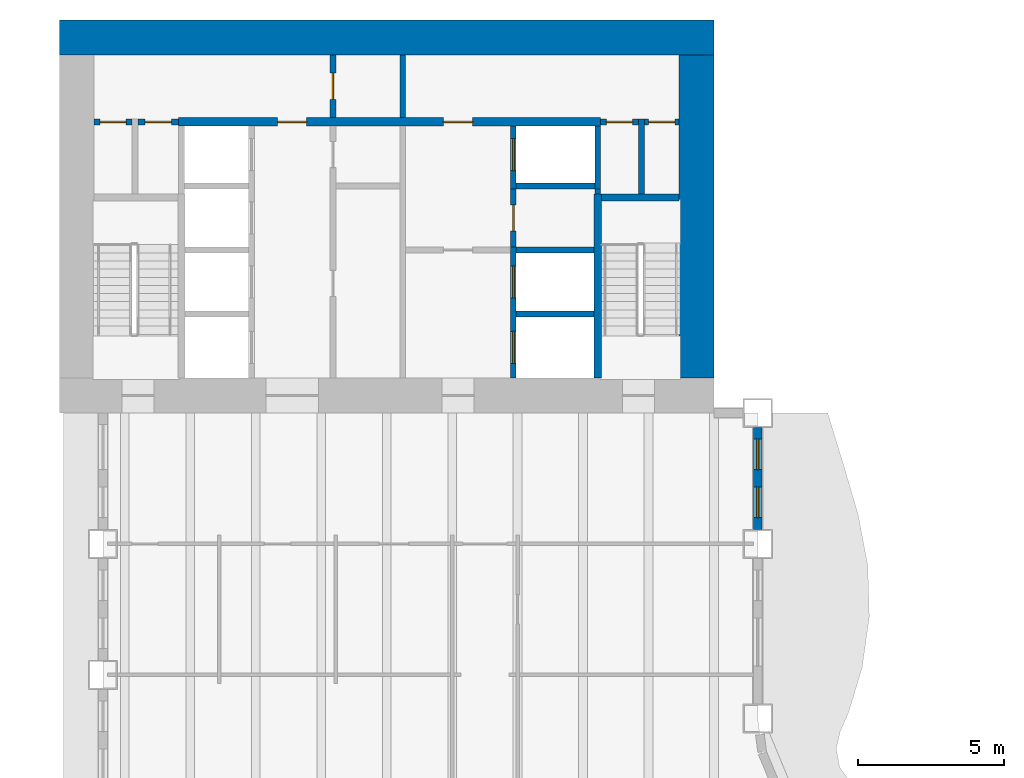
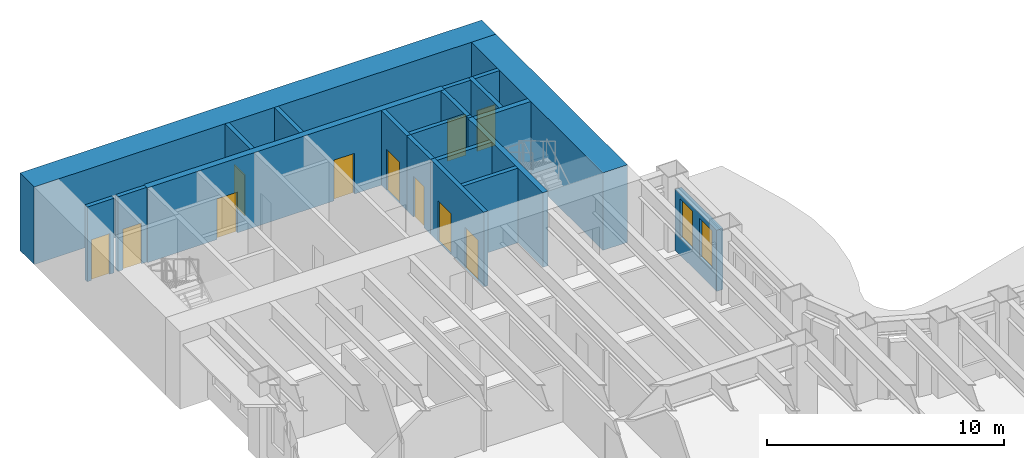
# One storey, part 9 of 16: 21 walls, 11 doors, 2 windows, 13 openings.
"""IFC4 building model written with IfcOpenShell, lengths in metres."""

from ifc_helpers import new_model, si_unit, direction, frame, frame_2d, origin, place, context, subcontext, project, spatial, rectangle, extrude, material, layer, layer_set, type_object, element, fill, save


model = new_model("IFC4")

# Units and contexts
model_context = context("Model", 3, precision=1e-05, world=origin(), true_north=direction((0.0, 1.0)))
body_context = subcontext(model_context, "Body", "Model", "MODEL_VIEW")
ifc_project = project(units=[si_unit("LENGTHUNIT", "METRE"), si_unit("AREAUNIT", "SQUARE_METRE"), si_unit("VOLUMEUNIT", "CUBIC_METRE"), si_unit("PLANEANGLEUNIT", "RADIAN"), si_unit("MASSUNIT", "GRAM", prefix="KILO")], contexts=[model_context])

# Site, building, storey
site_placement = place(None, origin())
site = spatial("IfcSite", under=ifc_project, at=site_placement, CompositionType="ELEMENT")
building_placement = place(site_placement, origin())
building = spatial("IfcBuilding", under=site, at=building_placement, Name="Sennacour Bend Tower", CompositionType="ELEMENT")
storey_placement = place(building_placement, frame((0.0, 0.0, 119.0)))
storey = spatial("IfcBuildingStorey", under=building, at=storey_placement, Name="L27", CompositionType="ELEMENT", Elevation=119.0)

# Walls
ifc_material_1 = material(Name="Concrete C80/95", Category="concrete")
ifc_layer_1 = layer(ifc_material_1, 1.199951171875, Name="Concrete C80/95", Category="concrete")
ifc_layer_set_1 = layer_set([ifc_layer_1], Name="Concrete C80/95")
wall_type_1 = type_object("IfcWallType", Name="Core wall 1200 C80/95", PredefinedType="SHEAR", material=ifc_layer_set_1)
wall_1_placement = place(storey_placement, frame((0.0, 48.89990234375, -0.14990234375), z_axis=(0.0, 0.0, 1.0), x_axis=(1.0, 0.0, 0.0)))
element("IfcWall", 1, at=wall_1_placement, inside=storey, type_object=wall_type_1, Name="Core B wall L27 N", PredefinedType="SHEAR", context=body_context, shape_type="SweptSolid", body=[
    extrude(rectangle(XDim=22.5, YDim=1.199951171875, at=frame_2d((11.25, 0.0))), origin(), (0.0, 0.0, 1.0), 4.0),
])
wall_2_placement = place(storey_placement, frame((21.89990234375, 37.199951171875, -0.14990234375), z_axis=(0.0, 0.0, 1.0), x_axis=(0.0, 1.0, 0.0)))
element("IfcWall", 2, at=wall_2_placement, inside=storey, type_object=wall_type_1, Name="Core B wall L27 E", PredefinedType="SHEAR", context=body_context, shape_type="SweptSolid", body=[
    extrude(rectangle(XDim=11.10009765625, YDim=1.199951171875, at=frame_2d((5.550048828125, 0.0))), origin(), (0.0, 0.0, 1.0), 4.0),
])

# Wall, opening, door
ifc_material_2 = material(Name="Fire-rated plasterboard partition on steel studs", Category="steel")
ifc_layer_2 = layer(ifc_material_2, 0.199951171875, Name="Fire-rated plasterboard partition on steel studs", Category="steel")
ifc_layer_set_2 = layer_set([ifc_layer_2], Name="Fire-rated plasterboard partition on steel studs")
wall_type_2 = type_object("IfcWallType", Name="Rated partition 200", PredefinedType="PARTITIONING", material=ifc_layer_set_2)
wall_3_placement = place(storey_placement, frame((9.39990234375, 46.14990234375, 0.0), z_axis=(0.0, 0.0, 1.0), x_axis=(0.0, 1.0, 0.0)))
wall_3 = element("IfcWall", 3, at=wall_3_placement, inside=storey, type_object=wall_type_2, Name="P-L27-W012b", PredefinedType="PARTITIONING", context=body_context, shape_type="SweptSolid", body=[
    extrude(rectangle(XDim=2.150146484375, YDim=0.199951171875, at=frame_2d((1.0751953125, 0.0))), origin(), (0.0, 0.0, 1.0), 3.85009765625),
])
opening_1_placement = place(wall_3_placement, frame((0.625, 0.0, 0.0)))
opening_1 = element("IfcOpeningElement", 4, at=opening_1_placement, cuts=wall_3, Name="Opening SV", PredefinedType="OPENING", context=body_context, shape_type="SweptSolid", body=[
    extrude(rectangle(XDim=0.89990234375, YDim=2.10009765625, at=frame_2d((0.449951171875, 1.050048828125))), frame((0.0, 0.10986328125, 0.0), z_axis=(0.0, -1.0, 0.0), x_axis=(1.0, 0.0, 0.0)), (0.0, 0.0, 1.0), 0.219970703125),
])
ifc_material_3 = material(Name="Painted steel", Category="steel")
door_type_1 = type_object("IfcDoorType", Name="DR-SERVICE-900", OperationType="NOTDEFINED", PredefinedType="DOOR", material=ifc_material_3)
door_1_placement = place(opening_1_placement, origin())
door_1 = element("IfcDoor", 5, at=door_1_placement, inside=storey, type_object=door_type_1, Name="Door", OperationType="SINGLE_SWING_LEFT", OverallHeight=2.10009765625, OverallWidth=0.89990234375, PredefinedType="DOOR", context=body_context, shape_type="SweptSolid", body=[
    extrude(rectangle(XDim=0.89990234375, YDim=2.10009765625, at=frame_2d((0.449951171875, 1.050048828125))), frame((0.0, 0.02490234375, 0.0), z_axis=(0.0, -1.0, 0.0), x_axis=(1.0, 0.0, 0.0)), (0.0, 0.0, 1.0), 0.050048828125),
])
fill(opening_1, door_1)

# Wall
wall_4_placement = place(storey_placement, frame((11.800048828125, 46.14990234375, 0.0), z_axis=(0.0, 0.0, 1.0), x_axis=(0.0, 1.0, 0.0)))
element("IfcWall", 6, at=wall_4_placement, inside=storey, type_object=wall_type_2, Name="P-L27-W014b", PredefinedType="PARTITIONING", context=body_context, shape_type="SweptSolid", body=[
    extrude(rectangle(XDim=2.150146484375, YDim=0.199951171875, at=frame_2d((1.0751953125, 0.0))), origin(), (0.0, 0.0, 1.0), 3.85009765625),
])

# Wall, opening, door
wall_5_placement = place(storey_placement, frame((15.60009765625, 41.699951171875, 0.0), z_axis=(0.0, 0.0, 1.0), x_axis=(0.0, 1.0, 0.0)))
wall_5 = element("IfcWall", 7, at=wall_5_placement, inside=storey, type_object=wall_type_2, Name="P-L27-W018", PredefinedType="PARTITIONING", context=body_context, shape_type="SweptSolid", body=[
    extrude(rectangle(XDim=2.0, YDim=0.199951171875, at=frame_2d((1.0, 0.0))), origin(), (0.0, 0.0, 1.0), 3.85009765625),
])
opening_2_placement = place(wall_5_placement, frame((0.550048828125, 0.0, 0.0)))
opening_2 = element("IfcOpeningElement", 8, at=opening_2_placement, cuts=wall_5, Name="Opening SV", PredefinedType="OPENING", context=body_context, shape_type="SweptSolid", body=[
    extrude(rectangle(XDim=0.89990234375, YDim=2.10009765625, at=frame_2d((0.449951171875, 1.050048828125))), frame((0.0, 0.10986328125, 0.0), z_axis=(0.0, -1.0, 0.0), x_axis=(1.0, 0.0, 0.0)), (0.0, 0.0, 1.0), 0.219970703125),
])
door_2_placement = place(opening_2_placement, origin())
door_2 = element("IfcDoor", 9, at=door_2_placement, inside=storey, type_object=door_type_1, Name="Door", OperationType="SINGLE_SWING_RIGHT", OverallHeight=2.10009765625, OverallWidth=0.89990234375, PredefinedType="DOOR", context=body_context, shape_type="SweptSolid", body=[
    extrude(rectangle(XDim=0.89990234375, YDim=2.10009765625, at=frame_2d((0.449951171875, 1.050048828125))), frame((0.0, 0.02490234375, 0.0), z_axis=(0.0, -1.0, 0.0), x_axis=(1.0, 0.0, 0.0)), (0.0, 0.0, 1.0), 0.050048828125),
])
fill(opening_2, door_2)

# Walls
wall_6_placement = place(storey_placement, frame((18.5, 43.52490234375, 0.0), z_axis=(0.0, 0.0, 1.0), x_axis=(0.0, 1.0, 0.0)))
element("IfcWall", 10, at=wall_6_placement, inside=storey, type_object=wall_type_2, Name="P-L27-W023", PredefinedType="PARTITIONING", context=body_context, shape_type="SweptSolid", body=[
    extrude(rectangle(XDim=0.175048828125, YDim=0.199951171875, at=frame_2d((0.08740234375, 0.0))), origin(), (0.0, 0.0, 1.0), 3.85009765625),
])
wall_7_placement = place(storey_placement, frame((20.0, 43.52490234375, 0.0), z_axis=(0.0, 0.0, 1.0), x_axis=(0.0, 1.0, 0.0)))
element("IfcWall", 11, at=wall_7_placement, inside=storey, type_object=wall_type_2, Name="P-L27-W025", PredefinedType="PARTITIONING", context=body_context, shape_type="SweptSolid", body=[
    extrude(rectangle(XDim=2.5751953125, YDim=0.199951171875, at=frame_2d((1.28759765625, 0.0))), origin(), (0.0, 0.0, 1.0), 3.85009765625),
])

# Wall, opening, door
wall_8_placement = place(storey_placement, frame((1.199951171875, 46.0, 0.0), z_axis=(0.0, 0.0, 1.0), x_axis=(1.0, 0.0, 0.0)))
wall_8 = element("IfcWall", 12, at=wall_8_placement, inside=storey, type_object=wall_type_2, Name="P-L27-W087a", PredefinedType="PARTITIONING", context=body_context, shape_type="SweptSolid", body=[
    extrude(rectangle(XDim=1.300048828125, YDim=0.199951171875, at=frame_2d((0.64990234375, 0.0))), origin(), (0.0, 0.0, 1.0), 3.85009765625),
])
opening_3_placement = place(wall_8_placement, frame((0.199951171875, 0.0, 0.0)))
opening_3 = element("IfcOpeningElement", 13, at=opening_3_placement, cuts=wall_8, Name="Opening SV", PredefinedType="OPENING", context=body_context, shape_type="SweptSolid", body=[
    extrude(rectangle(XDim=0.89990234375, YDim=2.10009765625, at=frame_2d((0.449951171875, 1.050048828125))), frame((0.0, 0.10986328125, 0.0), z_axis=(0.0, -1.0, 0.0), x_axis=(1.0, 0.0, 0.0)), (0.0, 0.0, 1.0), 0.219970703125),
])
door_3_placement = place(opening_3_placement, origin())
door_3 = element("IfcDoor", 14, at=door_3_placement, inside=storey, type_object=door_type_1, Name="Door", OperationType="SINGLE_SWING_LEFT", OverallHeight=2.10009765625, OverallWidth=0.89990234375, PredefinedType="DOOR", context=body_context, shape_type="SweptSolid", body=[
    extrude(rectangle(XDim=0.89990234375, YDim=2.10009765625, at=frame_2d((0.449951171875, 1.050048828125))), frame((0.0, 0.02490234375, 0.0), z_axis=(0.0, -1.0, 0.0), x_axis=(1.0, 0.0, 0.0)), (0.0, 0.0, 1.0), 0.050048828125),
])
fill(opening_3, door_3)

wall_9_placement = place(storey_placement, frame((2.699951171875, 46.0, 0.0), z_axis=(0.0, 0.0, 1.0), x_axis=(1.0, 0.0, 0.0)))
wall_9 = element("IfcWall", 15, at=wall_9_placement, inside=storey, type_object=wall_type_2, Name="P-L27-W087b", PredefinedType="PARTITIONING", context=body_context, shape_type="SweptSolid", body=[
    extrude(rectangle(XDim=1.400146484375, YDim=0.199951171875, at=frame_2d((0.7001953125, 0.0))), origin(), (0.0, 0.0, 1.0), 3.85009765625),
])
opening_4_placement = place(wall_9_placement, frame((0.25, 0.0, 0.0)))
opening_4 = element("IfcOpeningElement", 16, at=opening_4_placement, cuts=wall_9, Name="Opening WD", PredefinedType="OPENING", context=body_context, shape_type="SweptSolid", body=[
    extrude(rectangle(XDim=0.89990234375, YDim=2.10009765625, at=frame_2d((0.449951171875, 1.050048828125))), frame((0.0, 0.10986328125, 0.0), z_axis=(0.0, -1.0, 0.0), x_axis=(1.0, 0.0, 0.0)), (0.0, 0.0, 1.0), 0.219970703125),
])
ifc_material_4 = material(Name="Timber", Category="wood")
door_type_2 = type_object("IfcDoorType", Name="DR-WC-900", OperationType="NOTDEFINED", PredefinedType="DOOR", material=ifc_material_4)
door_4_placement = place(opening_4_placement, origin())
door_4 = element("IfcDoor", 17, at=door_4_placement, inside=storey, type_object=door_type_2, Name="Door", OperationType="SINGLE_SWING_LEFT", OverallHeight=2.10009765625, OverallWidth=0.89990234375, PredefinedType="DOOR", context=body_context, shape_type="SweptSolid", body=[
    extrude(rectangle(XDim=0.89990234375, YDim=2.10009765625, at=frame_2d((0.449951171875, 1.050048828125))), frame((0.0, 0.02490234375, 0.0), z_axis=(0.0, -1.0, 0.0), x_axis=(1.0, 0.0, 0.0)), (0.0, 0.0, 1.0), 0.050048828125),
])
fill(opening_4, door_4)

wall_10_placement = place(storey_placement, frame((18.60009765625, 46.0, 0.0), z_axis=(0.0, 0.0, 1.0), x_axis=(1.0, 0.0, 0.0)))
wall_10 = element("IfcWall", 18, at=wall_10_placement, inside=storey, type_object=wall_type_2, Name="P-L27-W089a", PredefinedType="PARTITIONING", context=body_context, shape_type="SweptSolid", body=[
    extrude(rectangle(XDim=1.2998046875, YDim=0.199951171875, at=frame_2d((0.64990234375, 0.0))), origin(), (0.0, 0.0, 1.0), 3.85009765625),
])
opening_5_placement = place(wall_10_placement, frame((0.199951171875, 0.0, 0.0)))
opening_5 = element("IfcOpeningElement", 19, at=opening_5_placement, cuts=wall_10, Name="Opening SV", PredefinedType="OPENING", context=body_context, shape_type="SweptSolid", body=[
    extrude(rectangle(XDim=0.89990234375, YDim=2.10009765625, at=frame_2d((0.449951171875, 1.050048828125))), frame((0.0, 0.10986328125, 0.0), z_axis=(0.0, -1.0, 0.0), x_axis=(1.0, 0.0, 0.0)), (0.0, 0.0, 1.0), 0.219970703125),
])
door_5_placement = place(opening_5_placement, origin())
door_5 = element("IfcDoor", 20, at=door_5_placement, inside=storey, type_object=door_type_1, Name="Door", OperationType="SINGLE_SWING_LEFT", OverallHeight=2.10009765625, OverallWidth=0.89990234375, PredefinedType="DOOR", context=body_context, shape_type="SweptSolid", body=[
    extrude(rectangle(XDim=0.89990234375, YDim=2.10009765625, at=frame_2d((0.449951171875, 1.050048828125))), frame((0.0, 0.02490234375, 0.0), z_axis=(0.0, -1.0, 0.0), x_axis=(1.0, 0.0, 0.0)), (0.0, 0.0, 1.0), 0.050048828125),
])
fill(opening_5, door_5)

wall_11_placement = place(storey_placement, frame((20.10009765625, 46.0, 0.0), z_axis=(0.0, 0.0, 1.0), x_axis=(1.0, 0.0, 0.0)))
wall_11 = element("IfcWall", 21, at=wall_11_placement, inside=storey, type_object=wall_type_2, Name="P-L27-W089b", PredefinedType="PARTITIONING", context=body_context, shape_type="SweptSolid", body=[
    extrude(rectangle(XDim=1.199951171875, YDim=0.199951171875, at=frame_2d((0.60009765625, 0.0))), origin(), (0.0, 0.0, 1.0), 3.85009765625),
])
opening_6_placement = place(wall_11_placement, frame((0.14990234375, 0.0, 0.0)))
opening_6 = element("IfcOpeningElement", 22, at=opening_6_placement, cuts=wall_11, Name="Opening SV", PredefinedType="OPENING", context=body_context, shape_type="SweptSolid", body=[
    extrude(rectangle(XDim=0.89990234375, YDim=2.10009765625, at=frame_2d((0.449951171875, 1.050048828125))), frame((0.0, 0.10986328125, 0.0), z_axis=(0.0, -1.0, 0.0), x_axis=(1.0, 0.0, 0.0)), (0.0, 0.0, 1.0), 0.219970703125),
])
door_6_placement = place(opening_6_placement, origin())
door_6 = element("IfcDoor", 23, at=door_6_placement, inside=storey, type_object=door_type_1, Name="Door", OperationType="SINGLE_SWING_LEFT", OverallHeight=2.10009765625, OverallWidth=0.89990234375, PredefinedType="DOOR", context=body_context, shape_type="SweptSolid", body=[
    extrude(rectangle(XDim=0.89990234375, YDim=2.10009765625, at=frame_2d((0.449951171875, 1.050048828125))), frame((0.0, 0.02490234375, 0.0), z_axis=(0.0, -1.0, 0.0), x_axis=(1.0, 0.0, 0.0)), (0.0, 0.0, 1.0), 0.050048828125),
])
fill(opening_6, door_6)

# Wall, openings, windows
ifc_material_5 = material(Name="Warm limestone cladding", Category="masonry")
ifc_layer_3 = layer(ifc_material_5, 0.050048828125, Name="Warm limestone cladding", Category="masonry")
ifc_material_6 = material(Name="Precast concrete C40/50", Category="concrete")
ifc_layer_4 = layer(ifc_material_6, 0.25, Name="Precast concrete C40/50", Category="concrete")
ifc_layer_set_3 = layer_set([ifc_layer_3, ifc_layer_4], Name="Precast concrete C40/50 with limestone cladding")
wall_type_3 = type_object("IfcWallType", Name="STONE-CLAD PRECAST SPANDREL 300", PredefinedType="STANDARD", material=ifc_layer_set_3)
wall_12_placement = place(storey_placement, frame((24.0, 32.0, 0.0), z_axis=(0.0, 0.0, 1.0), x_axis=(0.0, 1.0, 0.0)))
wall_12 = element("IfcWall", 24, at=wall_12_placement, inside=storey, type_object=wall_type_3, Name="Stone spandrel and pier wall L27 13.01", PredefinedType="STANDARD", context=body_context, shape_type="SweptSolid", body=[
    extrude(rectangle(XDim=3.5, YDim=0.300048828125, at=frame_2d((1.75, 0.0))), origin(), (0.0, 0.0, 1.0), 3.154052734375),
])
opening_7_placement = place(wall_12_placement, frame((0.39990234375, 0.0, 0.89990234375)))
opening_7 = element("IfcOpeningElement", 25, at=opening_7_placement, cuts=wall_12, Name="Opening W13", PredefinedType="OPENING", context=body_context, shape_type="SweptSolid", body=[
    extrude(rectangle(XDim=1.050048828125, YDim=2.0, at=frame_2d((0.52490234375, 1.0))), frame((0.0, 0.16015625, 0.0), z_axis=(0.0, -1.0, 0.0), x_axis=(1.0, 0.0, 0.0)), (0.0, 0.0, 1.0), 0.320068359375),
])
opening_8_placement = place(wall_12_placement, frame((2.050048828125, 0.0, 0.89990234375)))
opening_8 = element("IfcOpeningElement", 26, at=opening_8_placement, cuts=wall_12, Name="Opening W13", PredefinedType="OPENING", context=body_context, shape_type="SweptSolid", body=[
    extrude(rectangle(XDim=1.050048828125, YDim=2.0, at=frame_2d((0.52490234375, 1.0))), frame((0.0, 0.16015625, 0.0), z_axis=(0.0, -1.0, 0.0), x_axis=(1.0, 0.0, 0.0)), (0.0, 0.0, 1.0), 0.320068359375),
])
ifc_material_7 = material(Name="Clear low-emissivity glass", Category="glass")
window_type = type_object("IfcWindowType", Name="WIN-RIBBON-1050x2000", PartitioningType="SINGLE_PANEL", PredefinedType="WINDOW", material=ifc_material_7)
window_1_placement = place(opening_7_placement, origin())
window_1 = element("IfcWindow", 27, at=window_1_placement, inside=storey, type_object=window_type, Name="Ribbon window L27 13.01.0", OverallHeight=2.0, OverallWidth=1.050048828125, PartitioningType="SINGLE_PANEL", PredefinedType="WINDOW", context=body_context, shape_type="SweptSolid", body=[
    extrude(rectangle(XDim=1.050048828125, YDim=2.0, at=frame_2d((0.52490234375, 1.0))), frame((0.0, 0.030029296875, 0.0), z_axis=(0.0, -1.0, 0.0), x_axis=(1.0, 0.0, 0.0)), (0.0, 0.0, 1.0), 0.06005859375),
])
fill(opening_7, window_1)
window_2_placement = place(opening_8_placement, origin())
window_2 = element("IfcWindow", 28, at=window_2_placement, inside=storey, type_object=window_type, Name="Ribbon window L27 13.01.1", OverallHeight=2.0, OverallWidth=1.050048828125, PartitioningType="SINGLE_PANEL", PredefinedType="WINDOW", context=body_context, shape_type="SweptSolid", body=[
    extrude(rectangle(XDim=1.050048828125, YDim=2.0, at=frame_2d((0.52490234375, 1.0))), frame((0.0, 0.030029296875, 0.0), z_axis=(0.0, -1.0, 0.0), x_axis=(1.0, 0.0, 0.0)), (0.0, 0.0, 1.0), 0.06005859375),
])
fill(opening_8, window_2)

# Wall, openings, doors
ifc_material_8 = material(Name="Concrete C50/60", Category="concrete")
ifc_layer_5 = layer(ifc_material_8, 0.199951171875, Name="Concrete C50/60", Category="concrete")
ifc_layer_set_4 = layer_set([ifc_layer_5], Name="Concrete C50/60")
wall_type_4 = type_object("IfcWallType", Name="Shaft wall 200", PredefinedType="SOLIDWALL", material=ifc_layer_set_4)
wall_13_placement = place(storey_placement, frame((15.60009765625, 37.199951171875, 0.0), z_axis=(0.0, 0.0, 1.0), x_axis=(0.0, 1.0, 0.0)))
wall_13 = element("IfcWall", 29, at=wall_13_placement, inside=storey, type_object=wall_type_4, Name="P-L27-W017", PredefinedType="SOLIDWALL", context=body_context, shape_type="SweptSolid", body=[
    extrude(rectangle(XDim=4.5, YDim=0.199951171875, at=frame_2d((2.25, 0.0))), origin(), (0.0, 0.0, 1.0), 3.85009765625),
])
opening_9_placement = place(wall_13_placement, frame((0.5, 0.0, 0.011962890625)))
opening_9 = element("IfcOpeningElement", 30, at=opening_9_placement, cuts=wall_13, Name="Opening FLD", PredefinedType="OPENING", context=body_context, shape_type="SweptSolid", body=[
    extrude(rectangle(XDim=1.10009765625, YDim=2.10009765625, at=frame_2d((0.550048828125, 1.050048828125))), frame((0.0, 0.10986328125, 0.0), z_axis=(0.0, -1.0, 0.0), x_axis=(1.0, 0.0, 0.0)), (0.0, 0.0, 1.0), 0.219970703125),
])
opening_10_placement = place(wall_13_placement, frame((2.75, 0.0, 0.011962890625)))
opening_10 = element("IfcOpeningElement", 31, at=opening_10_placement, cuts=wall_13, Name="Opening FLD", PredefinedType="OPENING", context=body_context, shape_type="SweptSolid", body=[
    extrude(rectangle(XDim=1.10009765625, YDim=2.10009765625, at=frame_2d((0.550048828125, 1.050048828125))), frame((0.0, 0.10986328125, 0.0), z_axis=(0.0, -1.0, 0.0), x_axis=(1.0, 0.0, 0.0)), (0.0, 0.0, 1.0), 0.219970703125),
])
ifc_material_9 = material(Name="Stainless steel", Category="steel")
door_type_3 = type_object("IfcDoorType", Name="DR-FF-LANDING-1100", OperationType="NOTDEFINED", PredefinedType="DOOR", material=ifc_material_9)
door_7_placement = place(opening_9_placement, origin())
door_7 = element("IfcDoor", 32, at=door_7_placement, inside=storey, type_object=door_type_3, Name="Fire service lift landing door FB1", OperationType="SLIDING_TO_LEFT", OverallHeight=2.10009765625, OverallWidth=1.10009765625, PredefinedType="DOOR", context=body_context, shape_type="SweptSolid", body=[
    extrude(rectangle(XDim=1.10009765625, YDim=2.10009765625, at=frame_2d((0.550048828125, 1.050048828125))), frame((0.0, 0.02490234375, 0.0), z_axis=(0.0, -1.0, 0.0), x_axis=(1.0, 0.0, 0.0)), (0.0, 0.0, 1.0), 0.050048828125),
])
fill(opening_9, door_7)
door_8_placement = place(opening_10_placement, origin())
door_8 = element("IfcDoor", 33, at=door_8_placement, inside=storey, type_object=door_type_3, Name="Fire service lift landing door FB2", OperationType="SLIDING_TO_RIGHT", OverallHeight=2.10009765625, OverallWidth=1.10009765625, PredefinedType="DOOR", context=body_context, shape_type="SweptSolid", body=[
    extrude(rectangle(XDim=1.10009765625, YDim=2.10009765625, at=frame_2d((0.550048828125, 1.050048828125))), frame((0.0, 0.02490234375, 0.0), z_axis=(0.0, -1.0, 0.0), x_axis=(1.0, 0.0, 0.0)), (0.0, 0.0, 1.0), 0.050048828125),
])
fill(opening_10, door_8)

# Wall, opening, door
wall_14_placement = place(storey_placement, frame((15.60009765625, 43.699951171875, 0.0), z_axis=(0.0, 0.0, 1.0), x_axis=(0.0, 1.0, 0.0)))
wall_14 = element("IfcWall", 34, at=wall_14_placement, inside=storey, type_object=wall_type_4, Name="P-L27-W019", PredefinedType="SOLIDWALL", context=body_context, shape_type="SweptSolid", body=[
    extrude(rectangle(XDim=2.150146484375, YDim=0.199951171875, at=frame_2d((1.0751953125, 0.0))), origin(), (0.0, 0.0, 1.0), 3.85009765625),
])
opening_11_placement = place(wall_14_placement, frame((0.625, 0.0, 0.011962890625)))
opening_11 = element("IfcOpeningElement", 35, at=opening_11_placement, cuts=wall_14, Name="Opening LD", PredefinedType="OPENING", context=body_context, shape_type="SweptSolid", body=[
    extrude(rectangle(XDim=1.10009765625, YDim=2.10009765625, at=frame_2d((0.550048828125, 1.050048828125))), frame((0.0, 0.10986328125, 0.0), z_axis=(0.0, -1.0, 0.0), x_axis=(1.0, 0.0, 0.0)), (0.0, 0.0, 1.0), 0.219970703125),
])
door_type_4 = type_object("IfcDoorType", Name="DR-LANDING-1100", OperationType="NOTDEFINED", PredefinedType="DOOR", material=ifc_material_9)
door_9_placement = place(opening_11_placement, origin())
door_9 = element("IfcDoor", 36, at=door_9_placement, inside=storey, type_object=door_type_4, Name="Lift landing door LB5", OperationType="SLIDING_TO_LEFT", OverallHeight=2.10009765625, OverallWidth=1.10009765625, PredefinedType="DOOR", context=body_context, shape_type="SweptSolid", body=[
    extrude(rectangle(XDim=1.10009765625, YDim=2.10009765625, at=frame_2d((0.550048828125, 1.050048828125))), frame((0.0, 0.02490234375, 0.0), z_axis=(0.0, -1.0, 0.0), x_axis=(1.0, 0.0, 0.0)), (0.0, 0.0, 1.0), 0.050048828125),
])
fill(opening_11, door_9)

# Walls
wall_15_placement = place(storey_placement, frame((18.5, 43.699951171875, 0.0), z_axis=(0.0, 0.0, 1.0), x_axis=(0.0, 1.0, 0.0)))
element("IfcWall", 37, at=wall_15_placement, inside=storey, type_object=wall_type_4, Name="P-L27-W024", PredefinedType="SOLIDWALL", context=body_context, shape_type="SweptSolid", body=[
    extrude(rectangle(XDim=2.150146484375, YDim=0.199951171875, at=frame_2d((1.0751953125, 0.0))), origin(), (0.0, 0.0, 1.0), 3.85009765625),
])
for number, where, z_axis, x_axis, name in (
    (38, (15.699951171875, 39.39990234375, 0.0), (0.0, 0.0, 1.0), (1.0, 0.0, 0.0), "P-L27-W078"),
    (39, (15.699951171875, 41.60009765625, 0.0), (0.0, 0.0, 1.0), (1.0, 0.0, 0.0), "P-L27-W081"),
):
    element("IfcWall", number, at=place(storey_placement, frame(where, z_axis=z_axis, x_axis=x_axis)), inside=storey, type_object=wall_type_4, Name=name, PredefinedType="SOLIDWALL", context=body_context, shape_type="SweptSolid", body=[
        extrude(rectangle(XDim=2.675048828125, YDim=0.199951171875, at=frame_2d((1.33740234375, 0.0))), origin(), (0.0, 0.0, 1.0), 3.85009765625),
    ])
wall_16_placement = place(storey_placement, frame((15.699951171875, 43.800048828125, 0.0), z_axis=(0.0, 0.0, 1.0), x_axis=(1.0, 0.0, 0.0)))
element("IfcWall", 40, at=wall_16_placement, inside=storey, type_object=wall_type_4, Name="P-L27-W086", PredefinedType="SOLIDWALL", context=body_context, shape_type="SweptSolid", body=[
    extrude(rectangle(XDim=2.699951171875, YDim=0.199951171875, at=frame_2d((1.35009765625, 0.0))), origin(), (0.0, 0.0, 1.0), 3.85009765625),
])

# Wall, openings, doors
ifc_material_10 = material(Name="Concrete C60/75", Category="concrete")
ifc_layer_6 = layer(ifc_material_10, 0.300048828125, Name="Concrete C60/75", Category="concrete")
ifc_layer_set_5 = layer_set([ifc_layer_6], Name="Concrete C60/75")
wall_type_5 = type_object("IfcWallType", Name="Spine wall 300", PredefinedType="SHEAR", material=ifc_layer_set_5)
wall_17_placement = place(storey_placement, frame((4.10009765625, 46.0, 0.0), z_axis=(0.0, 0.0, 1.0), x_axis=(1.0, 0.0, 0.0)))
wall_17 = element("IfcWall", 41, at=wall_17_placement, inside=storey, type_object=wall_type_5, Name="P-L27-W088", PredefinedType="SHEAR", context=body_context, shape_type="SweptSolid", body=[
    extrude(rectangle(XDim=14.5, YDim=0.300048828125, at=frame_2d((7.25, 0.0))), origin(), (0.0, 0.0, 1.0), 3.85009765625),
])
opening_12_placement = place(wall_17_placement, frame((3.39990234375, 0.0, 0.0)))
opening_12 = element("IfcOpeningElement", 42, at=opening_12_placement, cuts=wall_17, Name="Opening CD2", PredefinedType="OPENING", context=body_context, shape_type="SweptSolid", body=[
    extrude(rectangle(XDim=1.0, YDim=2.10009765625, at=frame_2d((0.5, 1.050048828125))), frame((0.0, 0.16015625, 0.0), z_axis=(0.0, -1.0, 0.0), x_axis=(1.0, 0.0, 0.0)), (0.0, 0.0, 1.0), 0.320068359375),
])
opening_13_placement = place(wall_17_placement, frame((9.099853515625, 0.0, 0.0)))
opening_13 = element("IfcOpeningElement", 43, at=opening_13_placement, cuts=wall_17, Name="Opening CD2", PredefinedType="OPENING", context=body_context, shape_type="SweptSolid", body=[
    extrude(rectangle(XDim=1.0, YDim=2.10009765625, at=frame_2d((0.5, 1.050048828125))), frame((0.0, 0.16015625, 0.0), z_axis=(0.0, -1.0, 0.0), x_axis=(1.0, 0.0, 0.0)), (0.0, 0.0, 1.0), 0.320068359375),
])
door_type_5 = type_object("IfcDoorType", Name="DR-LOBBY-1000", OperationType="NOTDEFINED", PredefinedType="DOOR", material=ifc_material_3)
door_10_placement = place(opening_12_placement, origin())
door_10 = element("IfcDoor", 44, at=door_10_placement, inside=storey, type_object=door_type_5, Name="Door", OperationType="SINGLE_SWING_LEFT", OverallHeight=2.10009765625, OverallWidth=1.0, PredefinedType="DOOR", context=body_context, shape_type="SweptSolid", body=[
    extrude(rectangle(XDim=1.0, YDim=2.10009765625, at=frame_2d((0.5, 1.050048828125))), frame((0.0, 0.02490234375, 0.0), z_axis=(0.0, -1.0, 0.0), x_axis=(1.0, 0.0, 0.0)), (0.0, 0.0, 1.0), 0.050048828125),
])
fill(opening_12, door_10)
door_11_placement = place(opening_13_placement, origin())
door_11 = element("IfcDoor", 45, at=door_11_placement, inside=storey, type_object=door_type_5, Name="Door", OperationType="SINGLE_SWING_RIGHT", OverallHeight=2.10009765625, OverallWidth=1.0, PredefinedType="DOOR", context=body_context, shape_type="SweptSolid", body=[
    extrude(rectangle(XDim=1.0, YDim=2.10009765625, at=frame_2d((0.5, 1.050048828125))), frame((0.0, 0.02490234375, 0.0), z_axis=(0.0, -1.0, 0.0), x_axis=(1.0, 0.0, 0.0)), (0.0, 0.0, 1.0), 0.050048828125),
])
fill(opening_13, door_11)

# Walls
ifc_layer_7 = layer(ifc_material_10, 0.25, Name="Concrete C60/75", Category="concrete")
ifc_layer_set_6 = layer_set([ifc_layer_7], Name="Concrete C60/75")
wall_type_6 = type_object("IfcWallType", Name="Stair wall 250", PredefinedType="SHEAR", material=ifc_layer_set_6)
wall_18_placement = place(storey_placement, frame((18.5, 37.199951171875, 0.0), z_axis=(0.0, 0.0, 1.0), x_axis=(0.0, 1.0, 0.0)))
element("IfcWall", 46, at=wall_18_placement, inside=storey, type_object=wall_type_6, Name="P-L27-W022", PredefinedType="SHEAR", context=body_context, shape_type="SweptSolid", body=[
    extrude(rectangle(XDim=6.324951171875, YDim=0.25, at=frame_2d((3.16259765625, 0.0))), origin(), (0.0, 0.0, 1.0), 3.85009765625),
])
wall_19_placement = place(storey_placement, frame((18.625, 43.39990234375, 0.0), z_axis=(0.0, 0.0, 1.0), x_axis=(1.0, 0.0, 0.0)))
element("IfcWall", 47, at=wall_19_placement, inside=storey, type_object=wall_type_6, Name="P-L27-W083", PredefinedType="SHEAR", context=body_context, shape_type="SweptSolid", body=[
    extrude(rectangle(XDim=2.675048828125, YDim=0.25, at=frame_2d((1.33740234375, 0.0))), origin(), (0.0, 0.0, 1.0), 3.85009765625),
])

save(model, "model.ifc")
